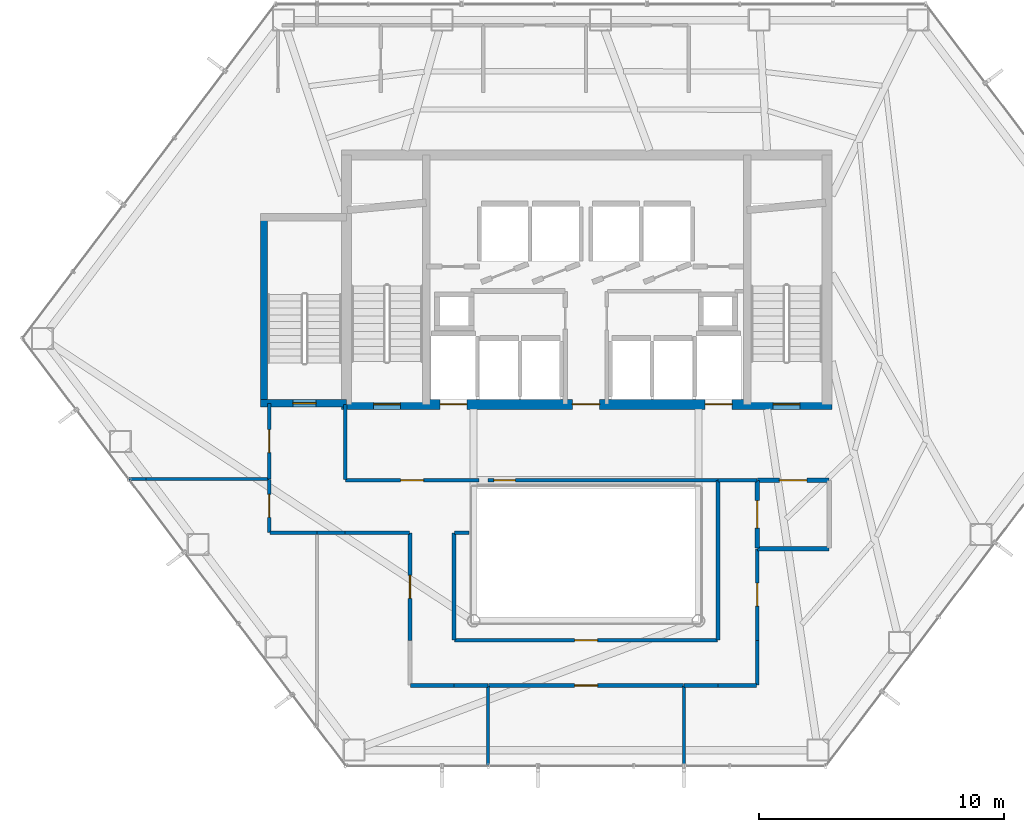
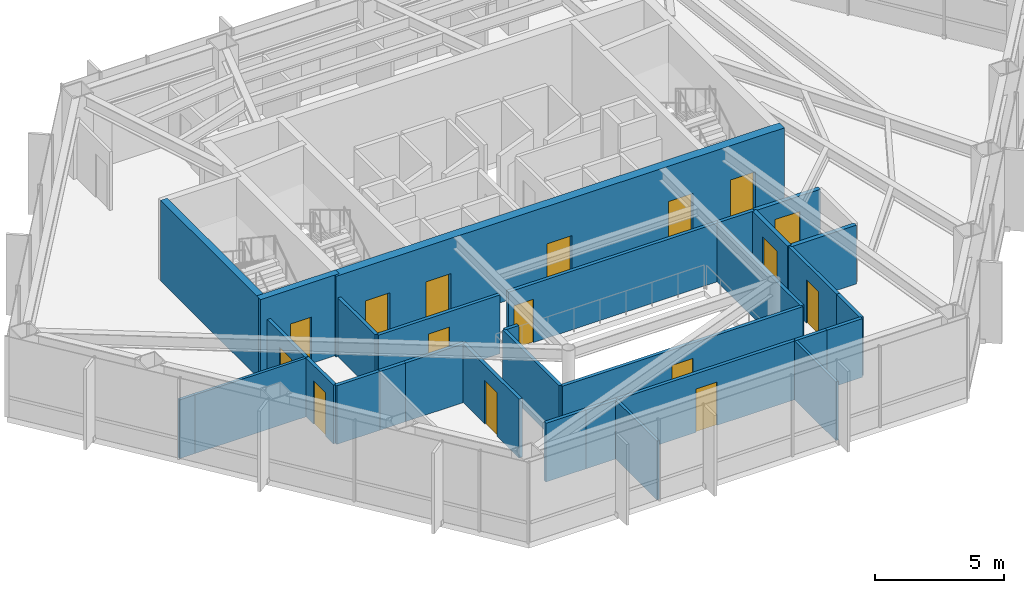
# One storey, part 22 of 25: 31 walls, 16 doors, 16 openings.
"""IFC4 building model written with IfcOpenShell, lengths in metres."""

from ifc_helpers import new_model, si_unit, direction, frame, frame_2d, origin, place, context, subcontext, project, spatial, rectangle, extrude, material, layer, layer_set, type_object, element, fill, save


model = new_model("IFC4")

# Units and contexts
model_context = context("Model", 3, precision=1e-05, world=origin(), true_north=direction((0.0, 1.0)))
body_context = subcontext(model_context, "Body", "Model", "MODEL_VIEW")
ifc_project = project(units=[si_unit("LENGTHUNIT", "METRE"), si_unit("AREAUNIT", "SQUARE_METRE"), si_unit("VOLUMEUNIT", "CUBIC_METRE"), si_unit("PLANEANGLEUNIT", "RADIAN"), si_unit("MASSUNIT", "GRAM", prefix="KILO")], contexts=[model_context])

# Site, building, storey
site_placement = place(None, origin())
site = spatial("IfcSite", under=ifc_project, at=site_placement, CompositionType="ELEMENT")
building_placement = place(site_placement, origin())
building = spatial("IfcBuilding", under=site, at=building_placement, Name="Zarrinselat Tower", CompositionType="ELEMENT")
storey_placement = place(building_placement, frame((0.0, 0.0, 88.739990234375)))
storey = spatial("IfcBuildingStorey", under=building, at=storey_placement, Name="L21", CompositionType="ELEMENT", Elevation=88.739990234375)

# Wall, opening, door
ifc_material_1 = material(Name="Concrete C40/50", Category="concrete")
ifc_layer_1 = layer(ifc_material_1, 0.18994140625)
ifc_layer_set_1 = layer_set([ifc_layer_1], Name="Concrete C40/50")
wall_type_1 = type_object("IfcWallType", Name="WAL-PART-EI120", PredefinedType="PARTITIONING", material=ifc_layer_set_1)
wall_1_placement = place(storey_placement, frame((45.405029296875, 30.14990234375, 0.0), z_axis=(0.0, 0.0, 1.0), x_axis=(1.0, 0.0, 0.0)))
wall_1 = element("IfcWall", 1, at=wall_1_placement, inside=storey, type_object=wall_type_1, Name="L21 Partition Wall 8", PredefinedType="PARTITIONING", context=body_context, shape_type="SweptSolid", body=[
    extrude(rectangle(XDim=2.925048828125, YDim=0.18994140625, at=frame_2d((1.46240234375, 0.0))), origin(), (0.0, 0.0, 1.0), 2.777099609375),
])
opening_1_placement = place(wall_1_placement, frame((0.902587890625, 0.0, 0.0)))
opening_1 = element("IfcOpeningElement", 2, at=opening_1_placement, cuts=wall_1, Name="Opening ID-02", PredefinedType="OPENING", context=body_context, shape_type="SweptSolid", body=[
    extrude(rectangle(XDim=1.1201171875, YDim=2.050048828125, at=frame_2d((0.56005859375, 1.02490234375))), frame((0.0, 0.10498046875, 0.0), z_axis=(0.0, -1.0, 0.0), x_axis=(1.0, 0.0, 0.0)), (0.0, 0.0, 1.0), 0.2099609375),
])
ifc_material_2 = material(Name="Steel S355J2", Category="steel")
door_type_1 = type_object("IfcDoorType", Name="DR-INT-FD60-W", OperationType="NOTDEFINED", PredefinedType="DOOR", material=ifc_material_2)
door_1_placement = place(opening_1_placement, origin())
door_1 = element("IfcDoor", 3, at=door_1_placement, inside=storey, type_object=door_type_1, Name="L21 Interior Door P8", OperationType="SINGLE_SWING_RIGHT", OverallHeight=2.050048828125, OverallWidth=1.1201171875, PredefinedType="DOOR", context=body_context, shape_type="SweptSolid", body=[
    extrude(rectangle(XDim=1.1201171875, YDim=2.050048828125, at=frame_2d((0.56005859375, 1.02490234375))), frame((0.0, 0.02490234375, 0.0), z_axis=(0.0, -1.0, 0.0), x_axis=(1.0, 0.0, 0.0)), (0.0, 0.0, 1.0), 0.050048828125),
])
fill(opening_1, door_1)

wall_2_placement = place(storey_placement, frame((45.39990234375, 27.3701171875, 0.0), z_axis=(0.0, 0.0, 1.0), x_axis=(0.0, 1.0, 0.0)))
wall_2 = element("IfcWall", 4, at=wall_2_placement, inside=storey, type_object=wall_type_1, Name="L21 Partition Wall 13", PredefinedType="PARTITIONING", context=body_context, shape_type="SweptSolid", body=[
    extrude(rectangle(XDim=2.759765625, YDim=0.18994140625, at=frame_2d((1.3798828125, 0.0))), origin(), (0.0, 0.0, 1.0), 2.777099609375),
])
opening_2_placement = place(wall_2_placement, frame((0.820068359375, 0.0, 0.0)))
opening_2 = element("IfcOpeningElement", 5, at=opening_2_placement, cuts=wall_2, Name="Opening ID-02", PredefinedType="OPENING", context=body_context, shape_type="SweptSolid", body=[
    extrude(rectangle(XDim=1.1201171875, YDim=2.050048828125, at=frame_2d((0.56005859375, 1.02490234375))), frame((0.0, 0.10498046875, 0.0), z_axis=(0.0, -1.0, 0.0), x_axis=(1.0, 0.0, 0.0)), (0.0, 0.0, 1.0), 0.2099609375),
])
door_2_placement = place(opening_2_placement, origin())
door_2 = element("IfcDoor", 6, at=door_2_placement, inside=storey, type_object=door_type_1, Name="L21 Interior Door P13", OperationType="SINGLE_SWING_LEFT", OverallHeight=2.050048828125, OverallWidth=1.1201171875, PredefinedType="DOOR", context=body_context, shape_type="SweptSolid", body=[
    extrude(rectangle(XDim=1.1201171875, YDim=2.050048828125, at=frame_2d((0.56005859375, 1.02490234375))), frame((0.0, 0.02490234375, 0.0), z_axis=(0.0, -1.0, 0.0), x_axis=(1.0, 0.0, 0.0)), (0.0, 0.0, 1.0), 0.050048828125),
])
fill(opening_2, door_2)

# Walls
wall_3_placement = place(storey_placement, frame((45.419921875, 27.35009765625, 0.0), z_axis=(0.0, 0.0, 1.0), x_axis=(1.0, 0.0, 0.0)))
element("IfcWall", 7, at=wall_3_placement, inside=storey, type_object=wall_type_1, Name="L21 Partition Wall 14", PredefinedType="PARTITIONING", context=body_context, shape_type="SweptSolid", body=[
    extrude(rectangle(XDim=2.91015625, YDim=0.18994140625, at=frame_2d((1.455078125, 0.0))), origin(), (0.0, 0.0, 1.0), 2.777099609375),
])
ifc_material_3 = material(Name="Fire-Rated Gypsum Board Partition", Category="gypsum")
ifc_layer_2 = layer(ifc_material_3, 0.14990234375)
ifc_layer_set_2 = layer_set([ifc_layer_2], Name="Fire-Rated Gypsum Board Partition")
wall_type_2 = type_object("IfcWallType", Name="WAL-PART-EI60", PredefinedType="PARTITIONING", material=ifc_layer_set_2)
wall_4_placement = place(storey_placement, frame((43.804931640625, 30.14990234375, 0.0), z_axis=(0.0, 0.0, 1.0), x_axis=(1.0, 0.0, 0.0)))
element("IfcWall", 8, at=wall_4_placement, inside=storey, type_object=wall_type_2, Name="L21 Partition Wall 9", PredefinedType="PARTITIONING", context=body_context, shape_type="SweptSolid", body=[
    extrude(rectangle(XDim=1.590087890625, YDim=0.14990234375, at=frame_2d((0.794921875, 0.0))), origin(), (0.0, 0.0, 1.0), 2.777099609375),
])

# Wall, opening, door
wall_5_placement = place(storey_placement, frame((28.570068359375, 30.14990234375, 0.0), z_axis=(0.0, 0.0, 1.0), x_axis=(1.0, 0.0, 0.0)))
wall_5 = element("IfcWall", 9, at=wall_5_placement, inside=storey, type_object=wall_type_2, Name="L21 Partition Wall 10", PredefinedType="PARTITIONING", context=body_context, shape_type="SweptSolid", body=[
    extrude(rectangle(XDim=5.44482421875, YDim=0.14990234375, at=frame_2d((2.722412109375, 0.0))), origin(), (0.0, 0.0, 1.0), 2.777099609375),
])
opening_3_placement = place(wall_5_placement, frame((2.25244140625, 0.0, 0.0)))
opening_3 = element("IfcOpeningElement", 10, at=opening_3_placement, cuts=wall_5, Name="Opening ID-04", PredefinedType="OPENING", context=body_context, shape_type="SweptSolid", body=[
    extrude(rectangle(XDim=0.93994140625, YDim=2.050048828125, at=frame_2d((0.469970703125, 1.02490234375))), frame((0.0, 0.0849609375, 0.0), z_axis=(0.0, -1.0, 0.0), x_axis=(1.0, 0.0, 0.0)), (0.0, 0.0, 1.0), 0.169921875),
])
ifc_material_4 = material(Name="Fire-Rated Gypsum Board Partition")
door_type_2 = type_object("IfcDoorType", Name="DR-INT-FD30-ENT", OperationType="NOTDEFINED", PredefinedType="DOOR", material=ifc_material_4)
door_3_placement = place(opening_3_placement, origin())
door_3 = element("IfcDoor", 11, at=door_3_placement, inside=storey, type_object=door_type_2, Name="L21 Interior Door P10", OperationType="SINGLE_SWING_LEFT", OverallHeight=2.050048828125, OverallWidth=0.93994140625, PredefinedType="DOOR", context=body_context, shape_type="SweptSolid", body=[
    extrude(rectangle(XDim=0.93994140625, YDim=2.050048828125, at=frame_2d((0.469970703125, 1.02490234375))), frame((0.0, 0.02490234375, 0.0), z_axis=(0.0, -1.0, 0.0), x_axis=(1.0, 0.0, 0.0)), (0.0, 0.0, 1.0), 0.050048828125),
])
fill(opening_3, door_3)

# Wall
wall_6_placement = place(storey_placement, frame((28.550048828125, 30.169921875, 0.0), z_axis=(0.0, 0.0, 1.0), x_axis=(0.0, 1.0, 0.0)))
element("IfcWall", 12, at=wall_6_placement, inside=storey, type_object=wall_type_2, Name="L21 Partition Wall 11", PredefinedType="PARTITIONING", context=body_context, shape_type="SweptSolid", body=[
    extrude(rectangle(XDim=3.065185546875, YDim=0.14990234375, at=frame_2d((1.53271484375, 0.0))), origin(), (0.0, 0.0, 1.0), 2.777099609375),
])

# Wall, opening, door
wall_7_placement = place(storey_placement, frame((34.385009765625, 30.14990234375, 0.0), z_axis=(0.0, 0.0, 1.0), x_axis=(1.0, 0.0, 0.0)))
wall_7 = element("IfcWall", 13, at=wall_7_placement, inside=storey, type_object=wall_type_2, Name="L21 Partition Wall 12", PredefinedType="PARTITIONING", context=body_context, shape_type="SweptSolid", body=[
    extrude(rectangle(XDim=9.409912109375, YDim=0.14990234375, at=frame_2d((4.705078125, 0.0))), origin(), (0.0, 0.0, 1.0), 2.777099609375),
])
opening_4_placement = place(wall_7_placement, frame((0.25, 0.0, 0.0)))
opening_4 = element("IfcOpeningElement", 14, at=opening_4_placement, cuts=wall_7, Name="Opening ID-03", PredefinedType="OPENING", context=body_context, shape_type="SweptSolid", body=[
    extrude(rectangle(XDim=0.8798828125, YDim=2.050048828125, at=frame_2d((0.43994140625, 1.02490234375))), frame((0.0, 0.0849609375, 0.0), z_axis=(0.0, -1.0, 0.0), x_axis=(1.0, 0.0, 0.0)), (0.0, 0.0, 1.0), 0.169921875),
])
ifc_material_5 = material(Name="Steel S355J2", Category="steel")
door_type_3 = type_object("IfcDoorType", Name="DR-INT-FD60-S", OperationType="NOTDEFINED", PredefinedType="DOOR", material=ifc_material_5)
door_4_placement = place(opening_4_placement, origin())
door_4 = element("IfcDoor", 15, at=door_4_placement, inside=storey, type_object=door_type_3, Name="L21 Interior Door P12", OperationType="SINGLE_SWING_RIGHT", OverallHeight=2.050048828125, OverallWidth=0.8798828125, PredefinedType="DOOR", context=body_context, shape_type="SweptSolid", body=[
    extrude(rectangle(XDim=0.8798828125, YDim=2.050048828125, at=frame_2d((0.43994140625, 1.02490234375))), frame((0.0, 0.02490234375, 0.0), z_axis=(0.0, -1.0, 0.0), x_axis=(1.0, 0.0, 0.0)), (0.0, 0.0, 1.0), 0.050048828125),
])
fill(opening_4, door_4)

wall_8_placement = place(storey_placement, frame((34.405029296875, 21.75, 0.0), z_axis=(0.0, 0.0, 1.0), x_axis=(1.0, 0.0, 0.0)))
wall_8 = element("IfcWall", 16, at=wall_8_placement, inside=storey, type_object=wall_type_2, Name="L21 Partition Wall 16", PredefinedType="PARTITIONING", context=body_context, shape_type="SweptSolid", body=[
    extrude(rectangle(XDim=7.989990234375, YDim=0.14990234375, at=frame_2d((3.9951171875, 0.0))), origin(), (0.0, 0.0, 1.0), 2.777099609375),
])
opening_5_placement = place(wall_8_placement, frame((3.52490234375, 0.0, 0.0)))
opening_5 = element("IfcOpeningElement", 17, at=opening_5_placement, cuts=wall_8, Name="Opening ID-04", PredefinedType="OPENING", context=body_context, shape_type="SweptSolid", body=[
    extrude(rectangle(XDim=0.93994140625, YDim=2.050048828125, at=frame_2d((0.469970703125, 1.02490234375))), frame((0.0, 0.0849609375, 0.0), z_axis=(0.0, -1.0, 0.0), x_axis=(1.0, 0.0, 0.0)), (0.0, 0.0, 1.0), 0.169921875),
])
door_5_placement = place(opening_5_placement, origin())
door_5 = element("IfcDoor", 18, at=door_5_placement, inside=storey, type_object=door_type_2, Name="L21 Interior Door P16", OperationType="SINGLE_SWING_RIGHT", OverallHeight=2.050048828125, OverallWidth=0.93994140625, PredefinedType="DOOR", context=body_context, shape_type="SweptSolid", body=[
    extrude(rectangle(XDim=0.93994140625, YDim=2.050048828125, at=frame_2d((0.469970703125, 1.02490234375))), frame((0.0, 0.02490234375, 0.0), z_axis=(0.0, -1.0, 0.0), x_axis=(1.0, 0.0, 0.0)), (0.0, 0.0, 1.0), 0.050048828125),
])
fill(opening_5, door_5)

# Walls
wall_9_placement = place(storey_placement, frame((33.0, 21.75, 0.0), z_axis=(0.0, 0.0, 1.0), x_axis=(1.0, 0.0, 0.0)))
element("IfcWall", 19, at=wall_9_placement, inside=storey, type_object=wall_type_2, Name="L21 Partition Wall 17", PredefinedType="PARTITIONING", context=body_context, shape_type="SweptSolid", body=[
    extrude(rectangle(XDim=1.39501953125, YDim=0.14990234375, at=frame_2d((0.697509765625, 0.0))), origin(), (0.0, 0.0, 1.0), 2.777099609375),
])
wall_10_placement = place(storey_placement, frame((31.219970703125, 21.75, 0.0), z_axis=(0.0, 0.0, 1.0), x_axis=(1.0, 0.0, 0.0)))
element("IfcWall", 20, at=wall_10_placement, inside=storey, type_object=wall_type_2, Name="L21 Partition Wall 18", PredefinedType="PARTITIONING", context=body_context, shape_type="SweptSolid", body=[
    extrude(rectangle(XDim=1.780029296875, YDim=0.14990234375, at=frame_2d((0.89013671875, 0.0))), origin(), (0.0, 0.0, 1.0), 2.777099609375),
])

# Wall, opening, door
wall_11_placement = place(storey_placement, frame((31.199951171875, 23.60009765625, 0.0), z_axis=(0.0, 0.0, 1.0), x_axis=(0.0, 1.0, 0.0)))
wall_11 = element("IfcWall", 21, at=wall_11_placement, inside=storey, type_object=wall_type_2, Name="L21 Partition Wall 20", PredefinedType="PARTITIONING", context=body_context, shape_type="SweptSolid", body=[
    extrude(rectangle(XDim=4.3798828125, YDim=0.14990234375, at=frame_2d((2.18994140625, 0.0))), origin(), (0.0, 0.0, 1.0), 2.777099609375),
])
opening_6_placement = place(wall_11_placement, frame((1.719970703125, 0.0, 0.0)))
opening_6 = element("IfcOpeningElement", 22, at=opening_6_placement, cuts=wall_11, Name="Opening ID-04", PredefinedType="OPENING", context=body_context, shape_type="SweptSolid", body=[
    extrude(rectangle(XDim=0.93994140625, YDim=2.050048828125, at=frame_2d((0.469970703125, 1.02490234375))), frame((0.0, 0.0849609375, 0.0), z_axis=(0.0, -1.0, 0.0), x_axis=(1.0, 0.0, 0.0)), (0.0, 0.0, 1.0), 0.169921875),
])
door_6_placement = place(opening_6_placement, origin())
door_6 = element("IfcDoor", 23, at=door_6_placement, inside=storey, type_object=door_type_2, Name="L21 Interior Door P20", OperationType="SINGLE_SWING_LEFT", OverallHeight=2.050048828125, OverallWidth=0.93994140625, PredefinedType="DOOR", context=body_context, shape_type="SweptSolid", body=[
    extrude(rectangle(XDim=0.93994140625, YDim=2.050048828125, at=frame_2d((0.469970703125, 1.02490234375))), frame((0.0, 0.02490234375, 0.0), z_axis=(0.0, -1.0, 0.0), x_axis=(1.0, 0.0, 0.0)), (0.0, 0.0, 1.0), 0.050048828125),
])
fill(opening_6, door_6)

# Walls
wall_12_placement = place(storey_placement, frame((28.550048828125, 28.0, 0.0), z_axis=(0.0, 0.0, 1.0), x_axis=(1.0, 0.0, 0.0)))
element("IfcWall", 24, at=wall_12_placement, inside=storey, type_object=wall_type_2, Name="L21 Partition Wall 21", PredefinedType="PARTITIONING", context=body_context, shape_type="SweptSolid", body=[
    extrude(rectangle(XDim=2.6298828125, YDim=0.14990234375, at=frame_2d((1.31494140625, 0.0))), origin(), (0.0, 0.0, 1.0), 2.777099609375),
])
wall_13_placement = place(storey_placement, frame((27.405029296875, 28.0, 0.0), z_axis=(0.0, 0.0, 1.0), x_axis=(1.0, 0.0, 0.0)))
element("IfcWall", 25, at=wall_13_placement, inside=storey, type_object=wall_type_2, Name="L21 Partition Wall 22", PredefinedType="PARTITIONING", context=body_context, shape_type="SweptSolid", body=[
    extrude(rectangle(XDim=1.14501953125, YDim=0.14990234375, at=frame_2d((0.572509765625, 0.0))), origin(), (0.0, 0.0, 1.0), 2.777099609375),
])

# Wall, opening, door
wall_14_placement = place(storey_placement, frame((45.39990234375, 23.60009765625, 0.0), z_axis=(0.0, 0.0, 1.0), x_axis=(0.0, 1.0, 0.0)))
wall_14 = element("IfcWall", 26, at=wall_14_placement, inside=storey, type_object=wall_type_2, Name="L21 Partition Wall 23", PredefinedType="PARTITIONING", context=body_context, shape_type="SweptSolid", body=[
    extrude(rectangle(XDim=3.72998046875, YDim=0.14990234375, at=frame_2d((1.864990234375, 0.0))), origin(), (0.0, 0.0, 1.0), 2.777099609375),
])
opening_7_placement = place(wall_14_placement, frame((1.39501953125, 0.0, 0.0)))
opening_7 = element("IfcOpeningElement", 27, at=opening_7_placement, cuts=wall_14, Name="Opening ID-04", PredefinedType="OPENING", context=body_context, shape_type="SweptSolid", body=[
    extrude(rectangle(XDim=0.93994140625, YDim=2.050048828125, at=frame_2d((0.469970703125, 1.02490234375))), frame((0.0, 0.0849609375, 0.0), z_axis=(0.0, -1.0, 0.0), x_axis=(1.0, 0.0, 0.0)), (0.0, 0.0, 1.0), 0.169921875),
])
door_7_placement = place(opening_7_placement, origin())
door_7 = element("IfcDoor", 28, at=door_7_placement, inside=storey, type_object=door_type_2, Name="L21 Interior Door P23", OperationType="SINGLE_SWING_RIGHT", OverallHeight=2.050048828125, OverallWidth=0.93994140625, PredefinedType="DOOR", context=body_context, shape_type="SweptSolid", body=[
    extrude(rectangle(XDim=0.93994140625, YDim=2.050048828125, at=frame_2d((0.469970703125, 1.02490234375))), frame((0.0, 0.02490234375, 0.0), z_axis=(0.0, -1.0, 0.0), x_axis=(1.0, 0.0, 0.0)), (0.0, 0.0, 1.0), 0.050048828125),
])
fill(opening_7, door_7)

# Walls
wall_15_placement = place(storey_placement, frame((45.39990234375, 21.77001953125, 0.0), z_axis=(0.0, 0.0, 1.0), x_axis=(0.0, 1.0, 0.0)))
element("IfcWall", 29, at=wall_15_placement, inside=storey, type_object=wall_type_2, Name="L21 Partition Wall 24", PredefinedType="PARTITIONING", context=body_context, shape_type="SweptSolid", body=[
    extrude(rectangle(XDim=1.830078125, YDim=0.14990234375, at=frame_2d((0.9150390625, 0.0))), origin(), (0.0, 0.0, 1.0), 2.777099609375),
])
wall_16_placement = place(storey_placement, frame((43.800048828125, 21.75, 0.0), z_axis=(0.0, 0.0, 1.0), x_axis=(1.0, 0.0, 0.0)))
element("IfcWall", 30, at=wall_16_placement, inside=storey, type_object=wall_type_2, Name="L21 Partition Wall 25", PredefinedType="PARTITIONING", context=body_context, shape_type="SweptSolid", body=[
    extrude(rectangle(XDim=1.579833984375, YDim=0.14990234375, at=frame_2d((0.7900390625, 0.0))), origin(), (0.0, 0.0, 1.0), 2.777099609375),
])
wall_17_placement = place(storey_placement, frame((42.405029296875, 21.75, 0.0), z_axis=(0.0, 0.0, 1.0), x_axis=(1.0, 0.0, 0.0)))
element("IfcWall", 31, at=wall_17_placement, inside=storey, type_object=wall_type_2, Name="L21 Partition Wall 26", PredefinedType="PARTITIONING", context=body_context, shape_type="SweptSolid", body=[
    extrude(rectangle(XDim=1.39501953125, YDim=0.14990234375, at=frame_2d((0.697509765625, 0.0))), origin(), (0.0, 0.0, 1.0), 2.777099609375),
])
wall_18_placement = place(storey_placement, frame((25.469970703125, 28.0, 0.0), z_axis=(0.0, 0.0, 1.0), x_axis=(1.0, 0.0, 0.0)))
element("IfcWall", 32, at=wall_18_placement, inside=storey, type_object=wall_type_2, Name="L21 Partition Wall 27", PredefinedType="PARTITIONING", context=body_context, shape_type="SweptSolid", body=[
    extrude(rectangle(XDim=1.925048828125, YDim=0.14990234375, at=frame_2d((0.96240234375, 0.0))), origin(), (0.0, 0.0, 1.0), 2.777099609375),
])

# Wall, opening, door
wall_19_placement = place(storey_placement, frame((25.449951171875, 28.02001953125, 0.0), z_axis=(0.0, 0.0, 1.0), x_axis=(0.0, 1.0, 0.0)))
wall_19 = element("IfcWall", 33, at=wall_19_placement, inside=storey, type_object=wall_type_2, Name="L21 Partition Wall 28", PredefinedType="PARTITIONING", context=body_context, shape_type="SweptSolid", body=[
    extrude(rectangle(XDim=2.1650390625, YDim=0.14990234375, at=frame_2d((1.08251953125, 0.0))), origin(), (0.0, 0.0, 1.0), 2.777099609375),
])
opening_8_placement = place(wall_19_placement, frame((0.612548828125, 0.0, 0.0)))
opening_8 = element("IfcOpeningElement", 34, at=opening_8_placement, cuts=wall_19, Name="Opening ID-04", PredefinedType="OPENING", context=body_context, shape_type="SweptSolid", body=[
    extrude(rectangle(XDim=0.93994140625, YDim=2.050048828125, at=frame_2d((0.469970703125, 1.02490234375))), frame((0.0, 0.0849609375, 0.0), z_axis=(0.0, -1.0, 0.0), x_axis=(1.0, 0.0, 0.0)), (0.0, 0.0, 1.0), 0.169921875),
])
door_8_placement = place(opening_8_placement, origin())
door_8 = element("IfcDoor", 35, at=door_8_placement, inside=storey, type_object=door_type_2, Name="L21 Interior Door P28", OperationType="SINGLE_SWING_LEFT", OverallHeight=2.050048828125, OverallWidth=0.93994140625, PredefinedType="DOOR", context=body_context, shape_type="SweptSolid", body=[
    extrude(rectangle(XDim=0.93994140625, YDim=2.050048828125, at=frame_2d((0.469970703125, 1.02490234375))), frame((0.0, 0.02490234375, 0.0), z_axis=(0.0, -1.0, 0.0), x_axis=(1.0, 0.0, 0.0)), (0.0, 0.0, 1.0), 0.050048828125),
])
fill(opening_8, door_8)

wall_20_placement = place(storey_placement, frame((25.449951171875, 30.205078125, 0.0), z_axis=(0.0, 0.0, 1.0), x_axis=(0.0, 1.0, 0.0)))
wall_20 = element("IfcWall", 36, at=wall_20_placement, inside=storey, type_object=wall_type_2, Name="L21 Partition Wall 29", PredefinedType="PARTITIONING", context=body_context, shape_type="SweptSolid", body=[
    extrude(rectangle(XDim=3.079833984375, YDim=0.14990234375, at=frame_2d((1.5400390625, 0.0))), origin(), (0.0, 0.0, 1.0), 2.777099609375),
])
opening_9_placement = place(wall_20_placement, frame((1.070068359375, 0.0, 0.0)))
opening_9 = element("IfcOpeningElement", 37, at=opening_9_placement, cuts=wall_20, Name="Opening ID-04", PredefinedType="OPENING", context=body_context, shape_type="SweptSolid", body=[
    extrude(rectangle(XDim=0.93994140625, YDim=2.050048828125, at=frame_2d((0.469970703125, 1.02490234375))), frame((0.0, 0.0849609375, 0.0), z_axis=(0.0, -1.0, 0.0), x_axis=(1.0, 0.0, 0.0)), (0.0, 0.0, 1.0), 0.169921875),
])
door_9_placement = place(opening_9_placement, origin())
door_9 = element("IfcDoor", 38, at=door_9_placement, inside=storey, type_object=door_type_2, Name="L21 Interior Door P29", OperationType="SINGLE_SWING_RIGHT", OverallHeight=2.050048828125, OverallWidth=0.93994140625, PredefinedType="DOOR", context=body_context, shape_type="SweptSolid", body=[
    extrude(rectangle(XDim=0.93994140625, YDim=2.050048828125, at=frame_2d((0.469970703125, 1.02490234375))), frame((0.0, 0.02490234375, 0.0), z_axis=(0.0, -1.0, 0.0), x_axis=(1.0, 0.0, 0.0)), (0.0, 0.0, 1.0), 0.050048828125),
])
fill(opening_9, door_9)

# Walls
wall_21_placement = place(storey_placement, frame((33.02001953125, 28.0, 0.0), z_axis=(0.0, 0.0, 1.0), x_axis=(1.0, 0.0, 0.0)))
element("IfcWall", 39, at=wall_21_placement, inside=storey, type_object=wall_type_2, Name="L21 Partition Wall 30", PredefinedType="PARTITIONING", context=body_context, shape_type="SweptSolid", body=[
    extrude(rectangle(XDim=0.60009765625, YDim=0.14990234375, at=frame_2d((0.300048828125, 0.0))), origin(), (0.0, 0.0, 1.0), 2.777099609375),
])
wall_22_placement = place(storey_placement, frame((33.0, 23.6201171875, 0.0), z_axis=(0.0, 0.0, 1.0), x_axis=(0.0, 1.0, 0.0)))
element("IfcWall", 40, at=wall_22_placement, inside=storey, type_object=wall_type_2, Name="L21 Partition Wall 31", PredefinedType="PARTITIONING", context=body_context, shape_type="SweptSolid", body=[
    extrude(rectangle(XDim=4.35986328125, YDim=0.14990234375, at=frame_2d((2.179931640625, 0.0))), origin(), (0.0, 0.0, 1.0), 2.777099609375),
])

# Wall, opening, door
wall_23_placement = place(storey_placement, frame((33.02001953125, 23.60009765625, 0.0), z_axis=(0.0, 0.0, 1.0), x_axis=(1.0, 0.0, 0.0)))
wall_23 = element("IfcWall", 41, at=wall_23_placement, inside=storey, type_object=wall_type_2, Name="L21 Partition Wall 32", PredefinedType="PARTITIONING", context=body_context, shape_type="SweptSolid", body=[
    extrude(rectangle(XDim=10.760009765625, YDim=0.14990234375, at=frame_2d((5.3798828125, 0.0))), origin(), (0.0, 0.0, 1.0), 2.777099609375),
])
opening_10_placement = place(wall_23_placement, frame((4.909912109375, 0.0, 0.0)))
opening_10 = element("IfcOpeningElement", 42, at=opening_10_placement, cuts=wall_23, Name="Opening ID-04", PredefinedType="OPENING", context=body_context, shape_type="SweptSolid", body=[
    extrude(rectangle(XDim=0.93994140625, YDim=2.050048828125, at=frame_2d((0.469970703125, 1.02490234375))), frame((0.0, 0.0849609375, 0.0), z_axis=(0.0, -1.0, 0.0), x_axis=(1.0, 0.0, 0.0)), (0.0, 0.0, 1.0), 0.169921875),
])
door_10_placement = place(opening_10_placement, origin())
door_10 = element("IfcDoor", 43, at=door_10_placement, inside=storey, type_object=door_type_2, Name="L21 Interior Door P32", OperationType="SINGLE_SWING_LEFT", OverallHeight=2.050048828125, OverallWidth=0.93994140625, PredefinedType="DOOR", context=body_context, shape_type="SweptSolid", body=[
    extrude(rectangle(XDim=0.93994140625, YDim=2.050048828125, at=frame_2d((0.469970703125, 1.02490234375))), frame((0.0, 0.02490234375, 0.0), z_axis=(0.0, -1.0, 0.0), x_axis=(1.0, 0.0, 0.0)), (0.0, 0.0, 1.0), 0.050048828125),
])
fill(opening_10, door_10)

# Walls
wall_24_placement = place(storey_placement, frame((43.800048828125, 23.6201171875, 0.0), z_axis=(0.0, 0.0, 1.0), x_axis=(0.0, 1.0, 0.0)))
element("IfcWall", 44, at=wall_24_placement, inside=storey, type_object=wall_type_2, Name="L21 Partition Wall 33", PredefinedType="PARTITIONING", context=body_context, shape_type="SweptSolid", body=[
    extrude(rectangle(XDim=6.509765625, YDim=0.14990234375, at=frame_2d((3.2548828125, 0.0))), origin(), (0.0, 0.0, 1.0), 2.777099609375),
])
ifc_material_6 = material(Name="Fire-Rated Gypsum Board Partition", Category="gypsum")
ifc_layer_3 = layer(ifc_material_6, 0.1201171875)
ifc_layer_set_3 = layer_set([ifc_layer_3], Name="Fire-Rated Gypsum Board Partition")
wall_type_3 = type_object("IfcWallType", Name="WAL-PART-STD", PredefinedType="PARTITIONING", material=ifc_layer_set_3)
for number, where, z_axis, x_axis, name in (
    (45, (34.39990234375, 18.47509765625, 0.0), (0.0, 0.0, 1.0), (0.0, 1.0, 0.0), "L21 Partition Wall 44"),
    (46, (42.39990234375, 18.47509765625, 0.0), (0.0, 0.0, 1.0), (0.0, 1.0, 0.0), "L21 Partition Wall 45"),
):
    element("IfcWall", number, at=place(storey_placement, frame(where, z_axis=z_axis, x_axis=x_axis)), inside=storey, type_object=wall_type_3, Name=name, PredefinedType="PARTITIONING", context=body_context, shape_type="SweptSolid", body=[
        extrude(rectangle(XDim=3.2548828125, YDim=0.1201171875, at=frame_2d((1.62744140625, 0.0))), origin(), (0.0, 0.0, 1.0), 2.777099609375),
    ])
wall_25_placement = place(storey_placement, frame((19.715576171875, 30.199951171875, 0.0), z_axis=(0.0, 0.0, 1.0), x_axis=(1.0, 0.0, 0.0)))
element("IfcWall", 47, at=wall_25_placement, inside=storey, type_object=wall_type_3, Name="L21 Partition Wall 48", PredefinedType="PARTITIONING", context=body_context, shape_type="SweptSolid", body=[
    extrude(rectangle(XDim=0.684326171875, YDim=0.1201171875, at=frame_2d((0.34228515625, 0.0))), origin(), (0.0, 0.0, 1.0), 2.777099609375),
])
wall_26_placement = place(storey_placement, frame((20.39990234375, 30.199951171875, 0.0), z_axis=(0.0, 0.0, 1.0), x_axis=(1.0, 0.0, 0.0)))
element("IfcWall", 48, at=wall_26_placement, inside=storey, type_object=wall_type_3, Name="L21 Partition Wall 49", PredefinedType="PARTITIONING", context=body_context, shape_type="SweptSolid", body=[
    extrude(rectangle(XDim=5.030029296875, YDim=0.1201171875, at=frame_2d((2.51513671875, 0.0))), origin(), (0.0, 0.0, 1.0), 2.777099609375),
])

# Wall, opening, door
ifc_material_7 = material(Name="Concrete C40/50", Category="concrete")
ifc_layer_4 = layer(ifc_material_7, 0.300048828125)
ifc_layer_set_4 = layer_set([ifc_layer_4], Name="Concrete C40/50")
wall_type_4 = type_object("IfcWallType", Name="WAL-SHEAR-300", PredefinedType="SHEAR", material=ifc_layer_set_4)
wall_27_placement = place(storey_placement, frame((25.080078125, 33.300048828125, 0.0), z_axis=(0.0, 0.0, 1.0), x_axis=(1.0, 0.0, 0.0)))
wall_27 = element("IfcWall", 49, at=wall_27_placement, inside=storey, type_object=wall_type_4, Name="L21 Stair 3 South Shear Wall", PredefinedType="SHEAR", context=body_context, shape_type="SweptSolid", body=[
    extrude(rectangle(XDim=3.52001953125, YDim=0.300048828125, at=frame_2d((1.760009765625, 0.0))), origin(), (0.0, 0.0, 1.0), 3.820068359375),
])
opening_11_placement = place(wall_27_placement, frame((1.3349609375, 0.0, 0.0)))
opening_11 = element("IfcOpeningElement", 50, at=opening_11_placement, cuts=wall_27, Name="Opening SD-02", PredefinedType="OPENING", context=body_context, shape_type="SweptSolid", body=[
    extrude(rectangle(XDim=0.949951171875, YDim=2.199951171875, at=frame_2d((0.47509765625, 1.10009765625))), frame((0.0, 0.159912109375, 0.0), z_axis=(0.0, -1.0, 0.0), x_axis=(1.0, 0.0, 0.0)), (0.0, 0.0, 1.0), 0.320068359375),
])
ifc_material_8 = material(Name="Steel S355J2", Category="steel")
door_type_4 = type_object("IfcDoorType", Name="DR-STAIR-1050", OperationType="NOTDEFINED", PredefinedType="DOOR", material=ifc_material_8)
door_11_placement = place(opening_11_placement, origin())
door_11 = element("IfcDoor", 51, at=door_11_placement, inside=storey, type_object=door_type_4, Name="L21 Exit Stair 3 Fire Door", OperationType="SINGLE_SWING_LEFT", OverallHeight=2.199951171875, OverallWidth=0.949951171875, PredefinedType="DOOR", context=body_context, shape_type="SweptSolid", body=[
    extrude(rectangle(XDim=0.949951171875, YDim=2.199951171875, at=frame_2d((0.47509765625, 1.10009765625))), frame((0.0, 0.02490234375, 0.0), z_axis=(0.0, -1.0, 0.0), x_axis=(1.0, 0.0, 0.0)), (0.0, 0.0, 1.0), 0.050048828125),
])
fill(opening_11, door_11)

# Wall
wall_28_placement = place(storey_placement, frame((25.22998046875, 33.300048828125, 0.0), z_axis=(0.0, 0.0, 1.0), x_axis=(0.0, 1.0, 0.0)))
element("IfcWall", 52, at=wall_28_placement, inside=storey, type_object=wall_type_4, Name="L21 Stair 3 West Shear Wall", PredefinedType="SHEAR", context=body_context, shape_type="SweptSolid", body=[
    extrude(rectangle(XDim=7.599853515625, YDim=0.300048828125, at=frame_2d((3.7998046875, 0.0))), origin(), (0.0, 0.0, 1.0), 3.820068359375),
])

# Wall, openings, doors
ifc_material_9 = material(Name="Concrete C60/75", Category="concrete")
ifc_layer_5 = layer(ifc_material_9, 0.39990234375)
ifc_layer_set_5 = layer_set([ifc_layer_5], Name="Concrete C60/75")
wall_type_5 = type_object("IfcWallType", Name="WAL-SHEAR-400", PredefinedType="SHEAR", material=ifc_layer_set_5)
wall_29_placement = place(storey_placement, frame((28.39990234375, 33.25, 0.0), z_axis=(0.0, 0.0, 1.0), x_axis=(1.0, 0.0, 0.0)))
wall_29 = element("IfcWall", 53, at=wall_29_placement, inside=storey, type_object=wall_type_5, Name="L21 South Core Shear Wall", PredefinedType="SHEAR", context=body_context, shape_type="SweptSolid", body=[
    extrude(rectangle(XDim=20.06005859375, YDim=0.39990234375, at=frame_2d((10.030029296875, 0.0))), origin(), (0.0, 0.0, 1.0), 3.820068359375),
])
opening_12_placement = place(wall_29_placement, frame((4.030029296875, 0.0, 0.0)))
opening_12 = element("IfcOpeningElement", 54, at=opening_12_placement, cuts=wall_29, Name="Opening LD-FFL1", PredefinedType="OPENING", context=body_context, shape_type="SweptSolid", body=[
    extrude(rectangle(XDim=1.10009765625, YDim=2.14990234375, at=frame_2d((0.550048828125, 1.074951171875))), frame((0.0, 0.2099609375, 0.0), z_axis=(0.0, -1.0, 0.0), x_axis=(1.0, 0.0, 0.0)), (0.0, 0.0, 1.0), 0.419921875),
])
opening_13_placement = place(wall_29_placement, frame((14.8701171875, 0.0, 0.0)))
opening_13 = element("IfcOpeningElement", 55, at=opening_13_placement, cuts=wall_29, Name="Opening LD-FFL2", PredefinedType="OPENING", context=body_context, shape_type="SweptSolid", body=[
    extrude(rectangle(XDim=1.10009765625, YDim=2.14990234375, at=frame_2d((0.550048828125, 1.074951171875))), frame((0.0, 0.2099609375, 0.0), z_axis=(0.0, -1.0, 0.0), x_axis=(1.0, 0.0, 0.0)), (0.0, 0.0, 1.0), 0.419921875),
])
opening_14_placement = place(wall_29_placement, frame((1.31005859375, 0.0, 0.0)))
opening_14 = element("IfcOpeningElement", 56, at=opening_14_placement, cuts=wall_29, Name="Opening SD-01", PredefinedType="OPENING", context=body_context, shape_type="SweptSolid", body=[
    extrude(rectangle(XDim=1.10009765625, YDim=2.199951171875, at=frame_2d((0.550048828125, 1.10009765625))), frame((0.0, 0.2099609375, 0.0), z_axis=(0.0, -1.0, 0.0), x_axis=(1.0, 0.0, 0.0)), (0.0, 0.0, 1.0), 0.419921875),
])
opening_15_placement = place(wall_29_placement, frame((9.43994140625, 0.0, 0.0)))
opening_15 = element("IfcOpeningElement", 57, at=opening_15_placement, cuts=wall_29, Name="Opening ID-02", PredefinedType="OPENING", context=body_context, shape_type="SweptSolid", body=[
    extrude(rectangle(XDim=1.1201171875, YDim=2.050048828125, at=frame_2d((0.56005859375, 1.02490234375))), frame((0.0, 0.2099609375, 0.0), z_axis=(0.0, -1.0, 0.0), x_axis=(1.0, 0.0, 0.0)), (0.0, 0.0, 1.0), 0.419921875),
])
opening_16_placement = place(wall_29_placement, frame((17.64990234375, 0.0, 0.0)))
opening_16 = element("IfcOpeningElement", 58, at=opening_16_placement, cuts=wall_29, Name="Opening SD-01", PredefinedType="OPENING", context=body_context, shape_type="SweptSolid", body=[
    extrude(rectangle(XDim=1.10009765625, YDim=2.199951171875, at=frame_2d((0.550048828125, 1.10009765625))), frame((0.0, 0.2099609375, 0.0), z_axis=(0.0, -1.0, 0.0), x_axis=(1.0, 0.0, 0.0)), (0.0, 0.0, 1.0), 0.419921875),
])
door_12_placement = place(opening_15_placement, origin())
door_12 = element("IfcDoor", 59, at=door_12_placement, inside=storey, type_object=door_type_1, Name="L21 Core Service Vestibule Fire Door", OperationType="SINGLE_SWING_LEFT", OverallHeight=2.050048828125, OverallWidth=1.1201171875, PredefinedType="DOOR", context=body_context, shape_type="SweptSolid", body=[
    extrude(rectangle(XDim=1.1201171875, YDim=2.050048828125, at=frame_2d((0.56005859375, 1.02490234375))), frame((0.0, 0.02490234375, 0.0), z_axis=(0.0, -1.0, 0.0), x_axis=(1.0, 0.0, 0.0)), (0.0, 0.0, 1.0), 0.050048828125),
])
fill(opening_15, door_12)
ifc_material_10 = material(Name="Steel S355J2", Category="steel")
door_type_5 = type_object("IfcDoorType", Name="DR-LIFT-FF-1100", OperationType="NOTDEFINED", PredefinedType="DOOR", material=ifc_material_10)
door_13_placement = place(opening_12_placement, origin())
door_13 = element("IfcDoor", 60, at=door_13_placement, inside=storey, type_object=door_type_5, Name="L21 Lift FFL1 Sliding Landing Door", OperationType="SLIDING_TO_LEFT", OverallHeight=2.14990234375, OverallWidth=1.10009765625, PredefinedType="DOOR", context=body_context, shape_type="SweptSolid", body=[
    extrude(rectangle(XDim=1.10009765625, YDim=2.14990234375, at=frame_2d((0.550048828125, 1.074951171875))), frame((0.0, 0.02490234375, 0.0), z_axis=(0.0, -1.0, 0.0), x_axis=(1.0, 0.0, 0.0)), (0.0, 0.0, 1.0), 0.050048828125),
])
fill(opening_12, door_13)
door_14_placement = place(opening_13_placement, origin())
door_14 = element("IfcDoor", 61, at=door_14_placement, inside=storey, type_object=door_type_5, Name="L21 Lift FFL2 Sliding Landing Door", OperationType="SLIDING_TO_RIGHT", OverallHeight=2.14990234375, OverallWidth=1.10009765625, PredefinedType="DOOR", context=body_context, shape_type="SweptSolid", body=[
    extrude(rectangle(XDim=1.10009765625, YDim=2.14990234375, at=frame_2d((0.550048828125, 1.074951171875))), frame((0.0, 0.02490234375, 0.0), z_axis=(0.0, -1.0, 0.0), x_axis=(1.0, 0.0, 0.0)), (0.0, 0.0, 1.0), 0.050048828125),
])
fill(opening_13, door_14)
ifc_material_11 = material(Name="Steel S355J2", Category="steel")
door_type_6 = type_object("IfcDoorType", Name="DR-STAIR-1100", OperationType="NOTDEFINED", PredefinedType="DOOR", material=ifc_material_11)
door_15_placement = place(opening_14_placement, origin())
door_15 = element("IfcDoor", 62, at=door_15_placement, inside=storey, type_object=door_type_6, Name="L21 Exit Stair 1 Fire Door", OperationType="SINGLE_SWING_LEFT", OverallHeight=2.199951171875, OverallWidth=1.10009765625, PredefinedType="DOOR", context=body_context, shape_type="SweptSolid", body=[
    extrude(rectangle(XDim=1.10009765625, YDim=2.199951171875, at=frame_2d((0.550048828125, 1.10009765625))), frame((0.0, 0.02490234375, 0.0), z_axis=(0.0, -1.0, 0.0), x_axis=(1.0, 0.0, 0.0)), (0.0, 0.0, 1.0), 0.050048828125),
])
fill(opening_14, door_15)
door_16_placement = place(opening_16_placement, origin())
door_16 = element("IfcDoor", 63, at=door_16_placement, inside=storey, type_object=door_type_6, Name="L21 Exit Stair 2 Fire Door", OperationType="SINGLE_SWING_RIGHT", OverallHeight=2.199951171875, OverallWidth=1.10009765625, PredefinedType="DOOR", context=body_context, shape_type="SweptSolid", body=[
    extrude(rectangle(XDim=1.10009765625, YDim=2.199951171875, at=frame_2d((0.550048828125, 1.10009765625))), frame((0.0, 0.02490234375, 0.0), z_axis=(0.0, -1.0, 0.0), x_axis=(1.0, 0.0, 0.0)), (0.0, 0.0, 1.0), 0.050048828125),
])
fill(opening_16, door_16)

save(model, "model.ifc")
